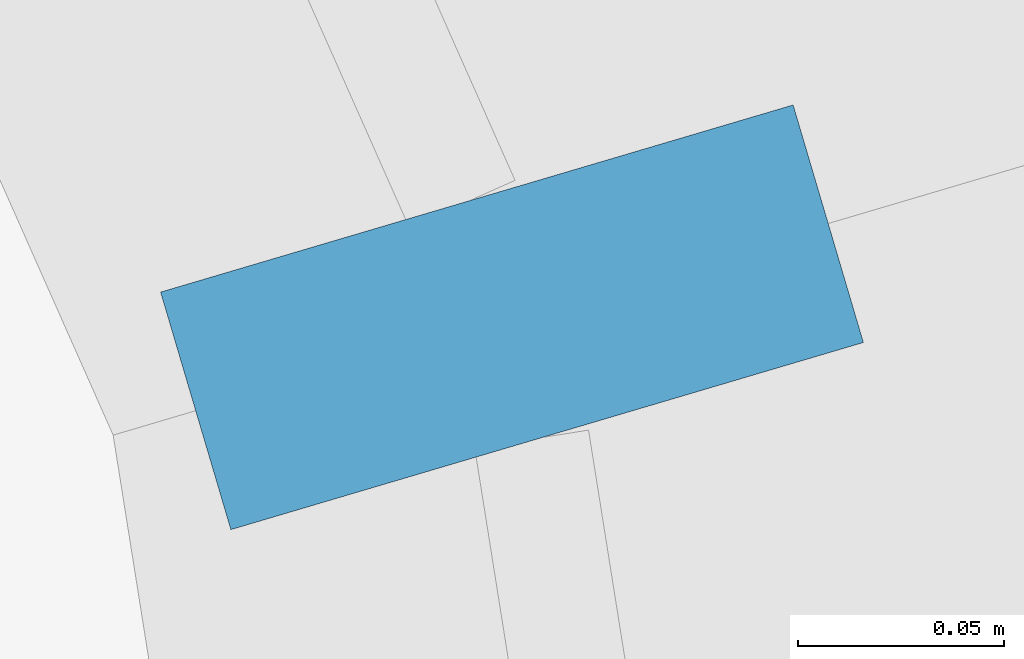
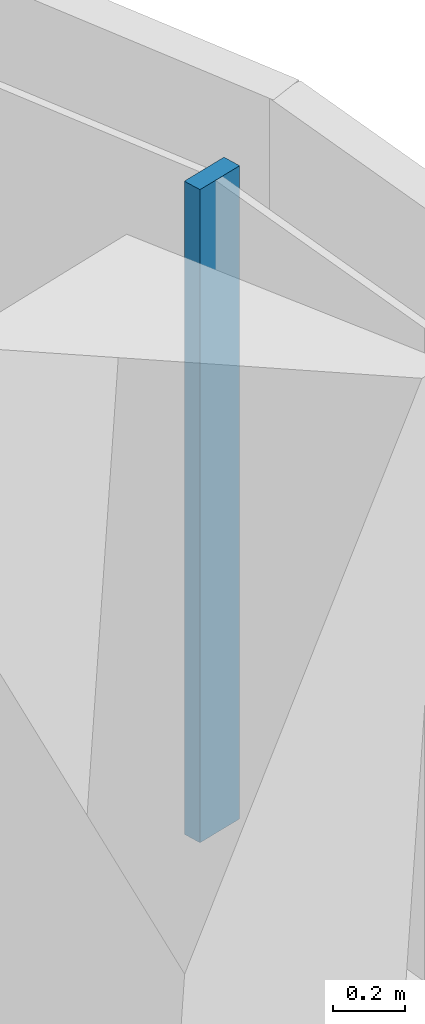
# One storey, part 9 of 35: 1 member, 1 element without a shape of its own.
"""IFC4 building model written with IfcOpenShell, lengths in metres."""

from ifc_helpers import new_model, si_unit, direction, frame, origin, origin_2d, place, context, subcontext, project, spatial, rectangle, extrude, material, layer, layer_set, material_profile, profile_set, type_object, element, aggregate, save


model = new_model("IFC4")

# Units and contexts
model_context = context("Model", 3, precision=1e-05, world=origin(), true_north=direction((0.0, 1.0)))
body_context = subcontext(model_context, "Body", "Model", "MODEL_VIEW")
ifc_project = project(units=[si_unit("LENGTHUNIT", "METRE"), si_unit("AREAUNIT", "SQUARE_METRE"), si_unit("VOLUMEUNIT", "CUBIC_METRE"), si_unit("PLANEANGLEUNIT", "RADIAN"), si_unit("MASSUNIT", "GRAM", prefix="KILO")], contexts=[model_context])

# Site, building, storey
site_placement = place(None, origin())
site = spatial("IfcSite", under=ifc_project, at=site_placement, CompositionType="ELEMENT")
building_placement = place(site_placement, origin())
building = spatial("IfcBuilding", under=site, at=building_placement, Name="Tamarind Cross Interchange Tower", CompositionType="ELEMENT")
storey_placement = place(building_placement, frame((0.0, 0.0, 121.0)))
storey = spatial("IfcBuildingStorey", under=building, at=storey_placement, Name="L29", CompositionType="ELEMENT", Elevation=121.0)

# Curtain wall, member
ifc_material = material(Name="Aluminium 6063-T6", Category="aluminium")
ifc_layer = layer(ifc_material, 0.159912109375)
ifc_layer_set = layer_set([ifc_layer], Name="Aluminium 6063-T6")
curtain_wall_type = type_object("IfcCurtainWallType", Name="Office curtain wall, 9.0 m bays", PredefinedType="NOTDEFINED", material=ifc_layer_set)
curtain_wall_placement = place(storey_placement, origin())
curtain_wall = element("IfcCurtainWall", 1, at=curtain_wall_placement, inside=storey, type_object=curtain_wall_type, Name="CWS-L29-05", PredefinedType="NOTDEFINED")
ifc_material_profile = material_profile(ifc_material, rectangle(XDim=0.06005859375, YDim=0.159912109375, at=origin_2d()), Name="Mullion CW1")
ifc_profile_set = profile_set([ifc_material_profile], Name="Aluminium 6063-T6")
member_type = type_object("IfcMemberType", Name="Mullion CW1", PredefinedType="MULLION", material=ifc_profile_set)
member_placement = place(storey_placement, frame((16.4990234375, -42.30615234375, 1.39990234375), z_axis=(0.0, 0.0, 1.0), x_axis=(-0.283685771926, 0.958917297167, 0.0)))
member = element("IfcMember", 2, at=member_placement, type_object=member_type, Name="CWM-L29-05-00", PredefinedType="MULLION", context=body_context, shape_type="SweptSolid", body=[
    extrude(rectangle(XDim=0.06005859375, YDim=0.159912109375, at=origin_2d()), origin(), (0.0, 0.0, 1.0), 2.210205078125),
])
aggregate(curtain_wall, [member])

save(model, "model.ifc")
